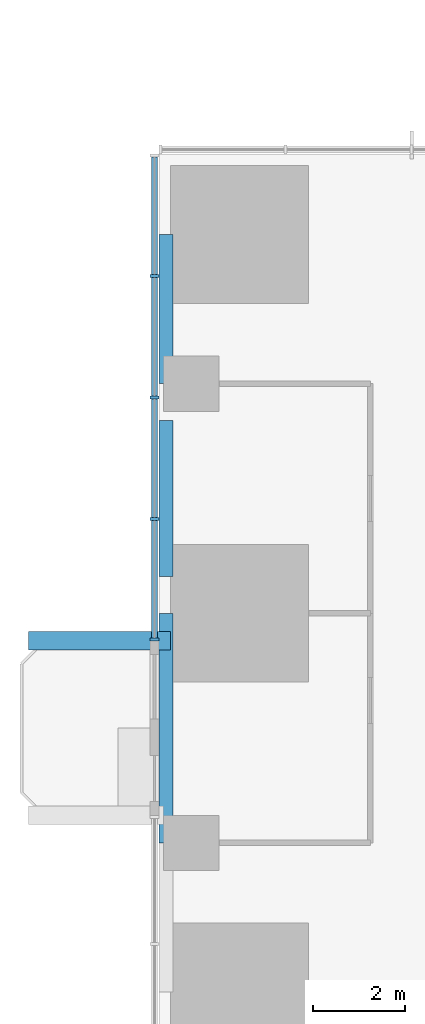
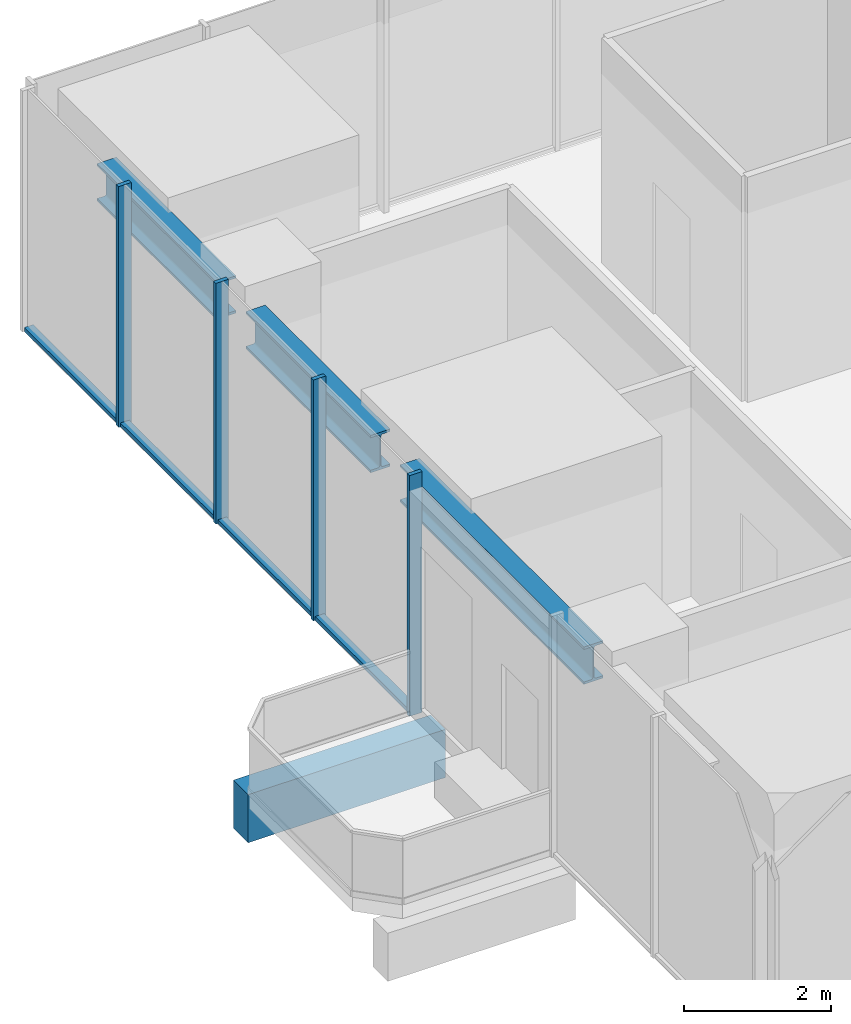
# One storey, part 3 of 14: 8 members, 4 beams, 1 element without a shape of its own.
"""IFC4 building model written with IfcOpenShell, lengths in metres."""

from ifc_helpers import new_model, si_unit, direction, frame, origin, origin_2d, place, context, subcontext, project, spatial, rectangle, i_section, extrude, material, material_profile, profile_set, type_object, element, aggregate, save


model = new_model("IFC4")

# Units and contexts
model_context = context("Model", 3, precision=1e-05, world=origin(), true_north=direction((0.0, 1.0)))
body_context = subcontext(model_context, "Body", "Model", "MODEL_VIEW")
ifc_project = project(units=[si_unit("LENGTHUNIT", "METRE"), si_unit("AREAUNIT", "SQUARE_METRE"), si_unit("VOLUMEUNIT", "CUBIC_METRE"), si_unit("PLANEANGLEUNIT", "RADIAN"), si_unit("MASSUNIT", "GRAM", prefix="KILO")], contexts=[model_context])

# Site, building, storey
site_placement = place(None, origin())
site = spatial("IfcSite", under=ifc_project, at=site_placement, CompositionType="ELEMENT")
building_placement = place(site_placement, origin())
building = spatial("IfcBuilding", under=site, at=building_placement, Name="Svetlomir Tower", CompositionType="ELEMENT")
storey_placement = place(building_placement, frame((0.0, 0.0, 112.5)))
storey = spatial("IfcBuildingStorey", under=building, at=storey_placement, Name="L26", CompositionType="ELEMENT", Elevation=112.5)

# Beam
ifc_material_1 = material(Name="Concrete C60/75", Category="concrete")
ifc_material_profile_1 = material_profile(ifc_material_1, rectangle(XDim=0.39990234375, YDim=0.800048828125, at=origin_2d()), Name="RC 400x800")
ifc_profile_set_1 = profile_set([ifc_material_profile_1], Name="Concrete C60/75")
beam_type_1 = type_object("IfcBeamType", Name="BALCONY RIB RC 400x800", PredefinedType="BEAM", material=ifc_profile_set_1)
beam_1_placement = place(storey_placement, frame((0.25, 20.39990234375, -0.64990234375), z_axis=(-1.0, 0.0, 0.0), x_axis=(0.0, -1.0, 0.0)))
element("IfcBeam", 1, at=beam_1_placement, inside=storey, type_object=beam_type_1, Name="Balcony rib W 2 L26", PredefinedType="BEAM", context=body_context, shape_type="SweptSolid", body=[
    extrude(rectangle(XDim=0.39990234375, YDim=0.800048828125, at=origin_2d()), origin(), (0.0, 0.0, 1.0), 3.10009765625),
])

# Curtain wall, members
ifc_material_2 = material(Name="Bronze anodised aluminium curtain wall", Category="aluminium")
curtain_wall_type = type_object("IfcCurtainWallType", Name="CURTAIN WALL CW1 TOWER OFFICE", PredefinedType="NOTDEFINED", material=ifc_material_2)
curtain_wall_placement = place(storey_placement, origin())
curtain_wall = element("IfcCurtainWall", 2, at=curtain_wall_placement, inside=storey, type_object=curtain_wall_type, Name="Curtain wall CW1 L26", PredefinedType="NOTDEFINED")
ifc_material_3 = material(Name="Bronze anodised aluminium", Category="aluminium")
ifc_material_profile_2 = material_profile(ifc_material_3, rectangle(XDim=0.06494140625, YDim=0.199951171875, at=origin_2d()), Name="AL 65x200")
ifc_profile_set_2 = profile_set([ifc_material_profile_2], Name="Bronze anodised aluminium 6063-T6")
member_type_1 = type_object("IfcMemberType", Name="CW1 MULLION 65x200", PredefinedType="MULLION", material=ifc_profile_set_2)
member_1_placement = place(storey_placement, frame((-0.10009765625, 28.35009765625, 0.0), z_axis=(0.0, 0.0, 1.0), x_axis=(0.0, -1.0, 0.0)))
member_1 = element("IfcMember", 3, at=member_1_placement, type_object=member_type_1, Name="CW1 mullion 2", PredefinedType="MULLION", context=body_context, shape_type="SweptSolid", body=[
    extrude(rectangle(XDim=0.06494140625, YDim=0.199951171875, at=origin_2d()), origin(), (0.0, 0.0, 1.0), 4.0),
])
member_2_placement = place(storey_placement, frame((-0.10009765625, 25.699951171875, 0.0), z_axis=(0.0, 0.0, 1.0), x_axis=(0.0, -1.0, 0.0)))
member_2 = element("IfcMember", 4, at=member_2_placement, type_object=member_type_1, Name="CW1 mullion 3", PredefinedType="MULLION", context=body_context, shape_type="SweptSolid", body=[
    extrude(rectangle(XDim=0.06494140625, YDim=0.199951171875, at=origin_2d()), origin(), (0.0, 0.0, 1.0), 4.0),
])
member_3_placement = place(storey_placement, frame((-0.10009765625, 23.050048828125, 0.0), z_axis=(0.0, 0.0, 1.0), x_axis=(0.0, -1.0, 0.0)))
member_3 = element("IfcMember", 5, at=member_3_placement, type_object=member_type_1, Name="CW1 mullion 4", PredefinedType="MULLION", context=body_context, shape_type="SweptSolid", body=[
    extrude(rectangle(XDim=0.06494140625, YDim=0.199951171875, at=origin_2d()), origin(), (0.0, 0.0, 1.0), 4.0),
])
member_4_placement = place(storey_placement, frame((-0.10009765625, 20.4326171875, 0.0), z_axis=(0.0, 0.0, 1.0), x_axis=(0.0, -1.0, 0.0)))
member_4 = element("IfcMember", 6, at=member_4_placement, type_object=member_type_1, Name="CW1 mullion 5", PredefinedType="MULLION", context=body_context, shape_type="SweptSolid", body=[
    extrude(rectangle(XDim=0.06494140625, YDim=0.199951171875, at=origin_2d()), origin(), (0.0, 0.0, 1.0), 4.0),
])
ifc_material_4 = material(Name="Bronze anodised aluminium", Category="aluminium")
ifc_material_profile_3 = material_profile(ifc_material_4, rectangle(XDim=0.139892578125, YDim=0.06494140625, at=origin_2d()), Name="AL 140x65")
ifc_profile_set_3 = profile_set([ifc_material_profile_3], Name="Bronze anodised aluminium 6063-T6")
member_type_2 = type_object("IfcMemberType", Name="CW1 TRANSOM 65x140", PredefinedType="USERDEFINED", material=ifc_profile_set_3)
member_5_placement = place(storey_placement, frame((-0.10009765625, 30.93505859375, 0.032470703125), z_axis=(0.0, -1.0, 0.0), x_axis=(1.0, 0.0, 0.0)))
member_5 = element("IfcMember", 7, at=member_5_placement, type_object=member_type_2, Name="CW1 transom 1.1", ObjectType="TRANSOM", PredefinedType="USERDEFINED", context=body_context, shape_type="SweptSolid", body=[
    extrude(rectangle(XDim=0.139892578125, YDim=0.06494140625, at=origin_2d()), origin(), (0.0, 0.0, 1.0), 2.552490234375),
])
member_6_placement = place(storey_placement, frame((-0.10009765625, 28.3173828125, 0.032470703125), z_axis=(0.0, -1.0, 0.0), x_axis=(1.0, 0.0, 0.0)))
member_6 = element("IfcMember", 8, at=member_6_placement, type_object=member_type_2, Name="CW1 transom 2.1", ObjectType="TRANSOM", PredefinedType="USERDEFINED", context=body_context, shape_type="SweptSolid", body=[
    extrude(rectangle(XDim=0.139892578125, YDim=0.06494140625, at=origin_2d()), origin(), (0.0, 0.0, 1.0), 2.5849609375),
])
member_7_placement = place(storey_placement, frame((-0.10009765625, 25.66748046875, 0.032470703125), z_axis=(0.0, -1.0, 0.0), x_axis=(1.0, 0.0, 0.0)))
member_7 = element("IfcMember", 9, at=member_7_placement, type_object=member_type_2, Name="CW1 transom 3.1", ObjectType="TRANSOM", PredefinedType="USERDEFINED", context=body_context, shape_type="SweptSolid", body=[
    extrude(rectangle(XDim=0.139892578125, YDim=0.06494140625, at=origin_2d()), origin(), (0.0, 0.0, 1.0), 2.5849609375),
])
member_8_placement = place(storey_placement, frame((-0.10009765625, 23.017578125, 0.032470703125), z_axis=(0.0, -1.0, 0.0), x_axis=(1.0, 0.0, 0.0)))
member_8 = element("IfcMember", 10, at=member_8_placement, type_object=member_type_2, Name="CW1 transom 4.1", ObjectType="TRANSOM", PredefinedType="USERDEFINED", context=body_context, shape_type="SweptSolid", body=[
    extrude(rectangle(XDim=0.139892578125, YDim=0.06494140625, at=origin_2d()), origin(), (0.0, 0.0, 1.0), 2.552490234375),
])
aggregate(curtain_wall, [member_1, member_2, member_3, member_4, member_5, member_6, member_7, member_8])

# Beams
ifc_material_5 = material(Name="Steel S355", Category="steel")
ifc_material_profile_4 = material_profile(ifc_material_5, i_section(OverallWidth=0.304931640625, OverallDepth=0.6201171875, WebThickness=0.02099609375, FlangeThickness=0.0400390625, FilletRadius=0.027099609375, at=origin_2d()), Name="HEM 600")
ifc_profile_set_4 = profile_set([ifc_material_profile_4], Name="Steel S355")
beam_type_2 = type_object("IfcBeamType", Name="EDGE BEAM HEM 600", PredefinedType="SPANDREL", material=ifc_profile_set_4)
beam_2_placement = place(storey_placement, frame((0.152587890625, 16.0, 3.43994140625), z_axis=(0.0, 1.0, 0.0), x_axis=(-1.0, 0.0, 0.0)))
element("IfcBeam", 11, at=beam_2_placement, inside=storey, type_object=beam_type_2, Name="Edge beam 0/16 to 0/21 under L27", PredefinedType="SPANDREL", context=body_context, shape_type="SweptSolid", body=[
    extrude(i_section(OverallWidth=0.304931640625, OverallDepth=0.6201171875, WebThickness=0.02099609375, FlangeThickness=0.0400390625, FilletRadius=0.027099609375, at=origin_2d()), origin(), (0.0, 0.0, 1.0), 5.0),
])
beam_3_placement = place(storey_placement, frame((0.152587890625, 21.800048828125, 3.43994140625), z_axis=(0.0, 1.0, 0.0), x_axis=(-1.0, 0.0, 0.0)))
element("IfcBeam", 12, at=beam_3_placement, inside=storey, type_object=beam_type_2, Name="Edge beam 0/21 to 0/26 under L27", PredefinedType="SPANDREL", context=body_context, shape_type="SweptSolid", body=[
    extrude(i_section(OverallWidth=0.304931640625, OverallDepth=0.6201171875, WebThickness=0.02099609375, FlangeThickness=0.0400390625, FilletRadius=0.027099609375, at=origin_2d()), origin(), (0.0, 0.0, 1.0), 3.39990234375),
])
beam_4_placement = place(storey_placement, frame((0.152587890625, 26.0, 3.43994140625), z_axis=(0.0, 1.0, 0.0), x_axis=(-1.0, 0.0, 0.0)))
element("IfcBeam", 13, at=beam_4_placement, inside=storey, type_object=beam_type_2, Name="Edge beam 0/26 to 0/31 under L27", PredefinedType="SPANDREL", context=body_context, shape_type="SweptSolid", body=[
    extrude(i_section(OverallWidth=0.304931640625, OverallDepth=0.6201171875, WebThickness=0.02099609375, FlangeThickness=0.0400390625, FilletRadius=0.027099609375, at=origin_2d()), origin(), (0.0, 0.0, 1.0), 3.25),
])

save(model, "model.ifc")
